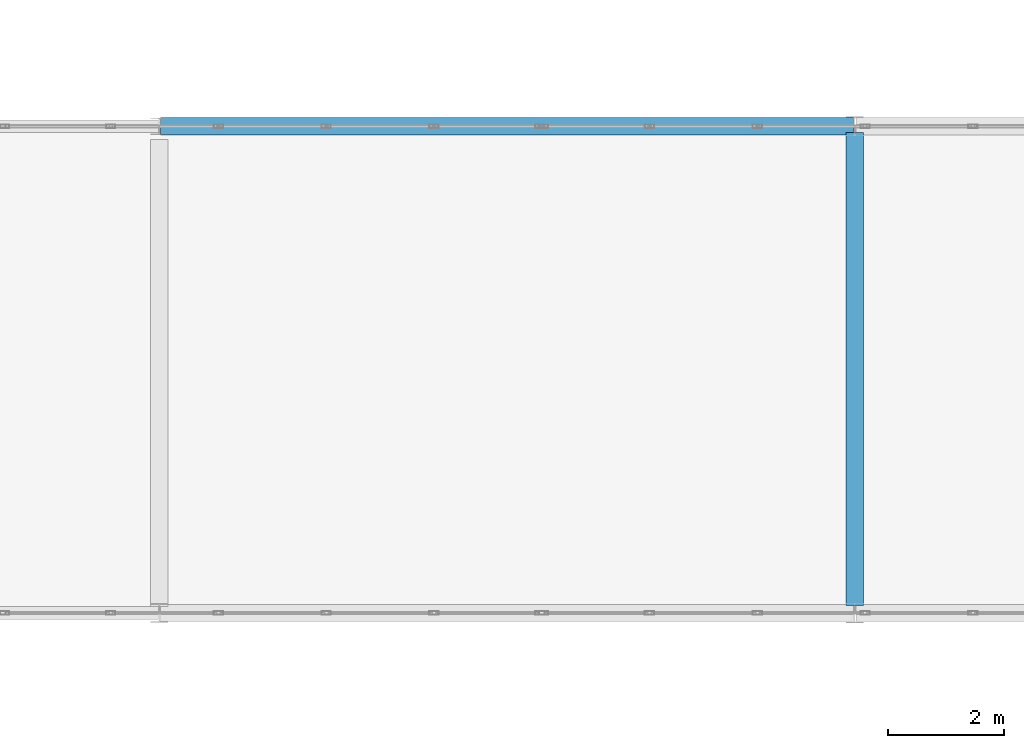
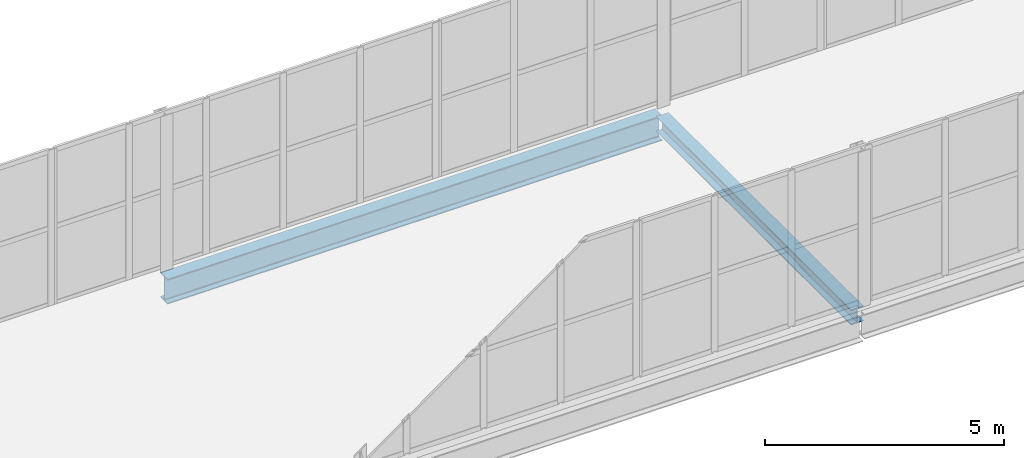
# One storey, part 59 of 138: 2 beams.
"""IFC4 building model written with IfcOpenShell, lengths in metres."""

from ifc_helpers import new_model, si_unit, direction, frame, origin, origin_2d, place, context, subcontext, project, spatial, i_section, extrude, material, material_profile, profile_set, type_object, element, save


model = new_model("IFC4")

# Units and contexts
model_context = context("Model", 3, precision=1e-05, world=origin(), true_north=direction((0.0, 1.0)))
body_context = subcontext(model_context, "Body", "Model", "MODEL_VIEW")
ifc_project = project(units=[si_unit("LENGTHUNIT", "METRE"), si_unit("AREAUNIT", "SQUARE_METRE"), si_unit("VOLUMEUNIT", "CUBIC_METRE"), si_unit("PLANEANGLEUNIT", "RADIAN"), si_unit("MASSUNIT", "GRAM", prefix="KILO")], contexts=[model_context])

# Site, building, storey
site_placement = place(None, origin())
site = spatial("IfcSite", under=ifc_project, at=site_placement, CompositionType="ELEMENT")
building_placement = place(site_placement, origin())
building = spatial("IfcBuilding", under=site, at=building_placement, Name="Vinh Khe Railworks Police Headquarters", CompositionType="ELEMENT")
storey_placement = place(building_placement, frame((0.0, 0.0, 9.0)))
storey = spatial("IfcBuildingStorey", under=building, at=storey_placement, Name="L02", CompositionType="ELEMENT", Elevation=9.0)

# Beams
ifc_material = material(Name="Steel S355JR", Category="steel")
ifc_material_profile_1 = material_profile(ifc_material, i_section(OverallWidth=0.300048828125, OverallDepth=0.389892578125, WebThickness=0.010986328125, FlangeThickness=0.01904296875, FilletRadius=0.027099609375, at=origin_2d()), Name="HEA 400")
ifc_profile_set_1 = profile_set([ifc_material_profile_1], Name="Steel S355JR")
beam_type_1 = type_object("IfcBeamType", Name="Steel Girder HEA 400", PredefinedType="BEAM", material=ifc_profile_set_1)
beam_1_placement = place(storey_placement, frame((46.199951171875, 96.1298828125, -0.4150390625), z_axis=(0.0, 1.0, 0.0), x_axis=(-1.0, 0.0, 0.0)))
element("IfcBeam", 1, at=beam_1_placement, inside=storey, type_object=beam_type_1, Name="Girder BM-L02-NS-SB-14-0959", PredefinedType="BEAM", context=body_context, shape_type="SweptSolid", body=[
    extrude(i_section(OverallWidth=0.300048828125, OverallDepth=0.389892578125, WebThickness=0.010986328125, FlangeThickness=0.01904296875, FilletRadius=0.027099609375, at=origin_2d()), origin(), (0.0, 0.0, 1.0), 8.16015625),
])
ifc_material_profile_2 = material_profile(ifc_material, i_section(OverallWidth=0.300048828125, OverallDepth=0.639892578125, WebThickness=0.013427734375, FlangeThickness=0.02587890625, FilletRadius=0.027099609375, at=origin_2d()), Name="HEA 650")
ifc_profile_set_2 = profile_set([ifc_material_profile_2], Name="Steel S355JR")
beam_type_2 = type_object("IfcBeamType", Name="Steel Girder HEA 650", PredefinedType="BEAM", material=ifc_profile_set_2)
beam_2_placement = place(storey_placement, frame((34.219970703125, 104.39990234375, -0.5400390625), z_axis=(1.0, 0.0, 0.0), x_axis=(0.0, 1.0, 0.0)))
element("IfcBeam", 2, at=beam_2_placement, inside=storey, type_object=beam_type_2, Name="Girder BM-L02-EW-SB-09-0821", PredefinedType="BEAM", context=body_context, shape_type="SweptSolid", body=[
    extrude(i_section(OverallWidth=0.300048828125, OverallDepth=0.639892578125, WebThickness=0.013427734375, FlangeThickness=0.02587890625, FilletRadius=0.027099609375, at=origin_2d()), origin(), (0.0, 0.0, 1.0), 11.9599609375),
])

save(model, "model.ifc")
